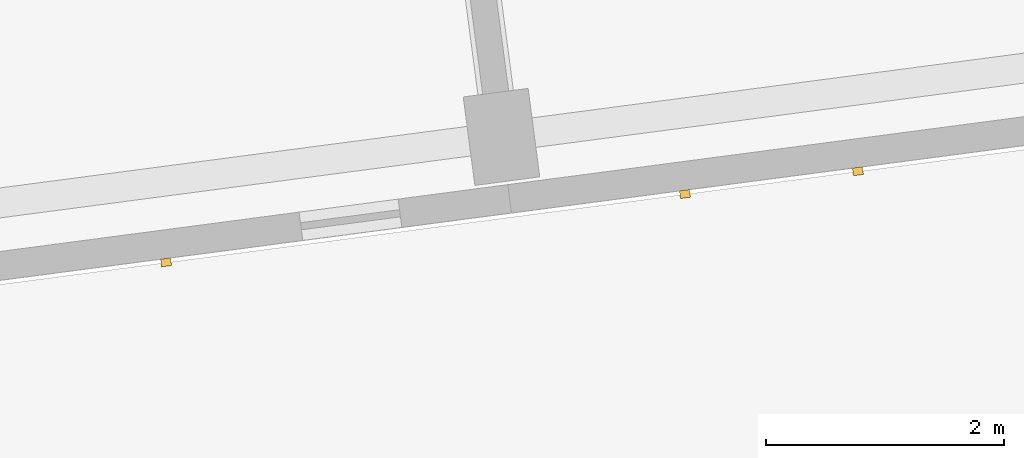
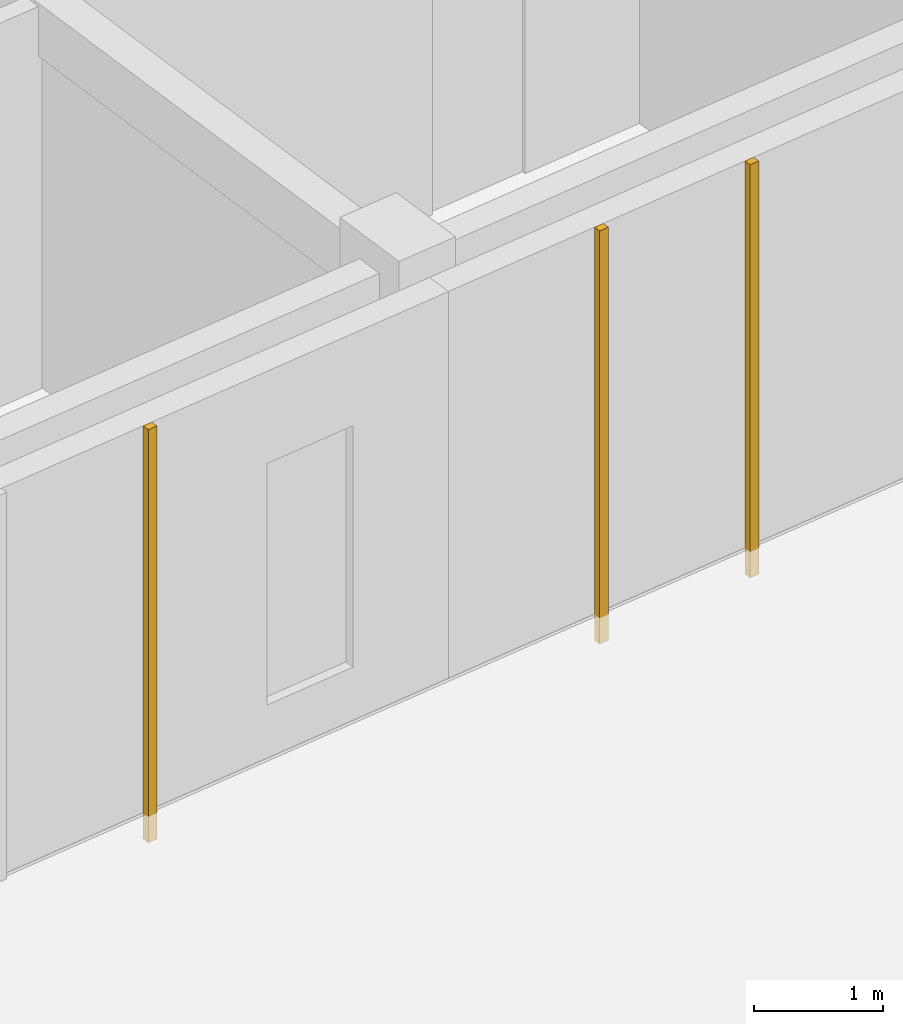
# One storey, part 123 of 150: 3 coverings.
"""IFC4 building model written with IfcOpenShell, lengths in metres."""

from ifc_helpers import new_model, si_unit, direction, frame, origin, origin_2d, place, context, subcontext, project, spatial, rectangle, extrude, material, layer, layer_set, type_object, element, save


model = new_model("IFC4")

# Units and contexts
model_context = context("Model", 3, precision=1e-05, world=origin(), true_north=direction((0.0, 1.0)))
body_context = subcontext(model_context, "Body", "Model", "MODEL_VIEW")
ifc_project = project(units=[si_unit("LENGTHUNIT", "METRE"), si_unit("AREAUNIT", "SQUARE_METRE"), si_unit("VOLUMEUNIT", "CUBIC_METRE"), si_unit("PLANEANGLEUNIT", "RADIAN"), si_unit("MASSUNIT", "GRAM", prefix="KILO")], contexts=[model_context])

# Site, building, storey
site_placement = place(None, origin())
site = spatial("IfcSite", under=ifc_project, at=site_placement, CompositionType="ELEMENT")
building_placement = place(site_placement, origin())
building = spatial("IfcBuilding", under=site, at=building_placement, Name="Kestramere Prow Commons", CompositionType="ELEMENT")
storey_placement = place(building_placement, frame((0.0, 0.0, 4.5)))
storey = spatial("IfcBuildingStorey", under=building, at=storey_placement, Name="L01", CompositionType="ELEMENT", Elevation=4.5)

# Coverings
ifc_material = material(Name="Weathered Zinc-Titanium Standing-Seam Cladding")
ifc_layer = layer(ifc_material, 0.074951171875)
ifc_layer_set = layer_set([ifc_layer], Name="Weathered Zinc-Titanium Standing-Seam Cladding")
covering_type = type_object("IfcCoveringType", Name="COV-CLAD-SEAM", PredefinedType="CLADDING", material=ifc_layer_set)
for number, where, z_axis, x_axis, name in (
    (1, (25.82958984375, 73.24267578125, -0.25), (0.0, 0.0, 1.0), (-0.991444861374, -0.13052619222, 0.0), "EW-A-L01-S-1 Standing-Seam Rib 2"),
    (2, (31.64599609375, 74.008544921875, -0.25), (0.0, 0.0, 1.0), (-0.991444861374, -0.13052619222, 0.0), "EW-A-L01-S-2 Standing-Seam Rib 4"),
    (3, (30.19189453125, 73.81689453125, -0.25), (0.0, 0.0, 1.0), (-0.991444861374, -0.13052619222, 0.0), "EW-A-L01-S-2 Standing-Seam Rib 5"),
):
    element("IfcCovering", number, at=place(storey_placement, frame(where, z_axis=z_axis, x_axis=x_axis)), inside=storey, type_object=covering_type, Name=name, PredefinedType="CLADDING", context=body_context, shape_type="SweptSolid", body=[
        extrude(rectangle(XDim=0.0849609375, YDim=0.06494140625, at=origin_2d()), origin(), (0.0, 0.0, 1.0), 3.89990234375),
    ])

save(model, "model.ifc")
